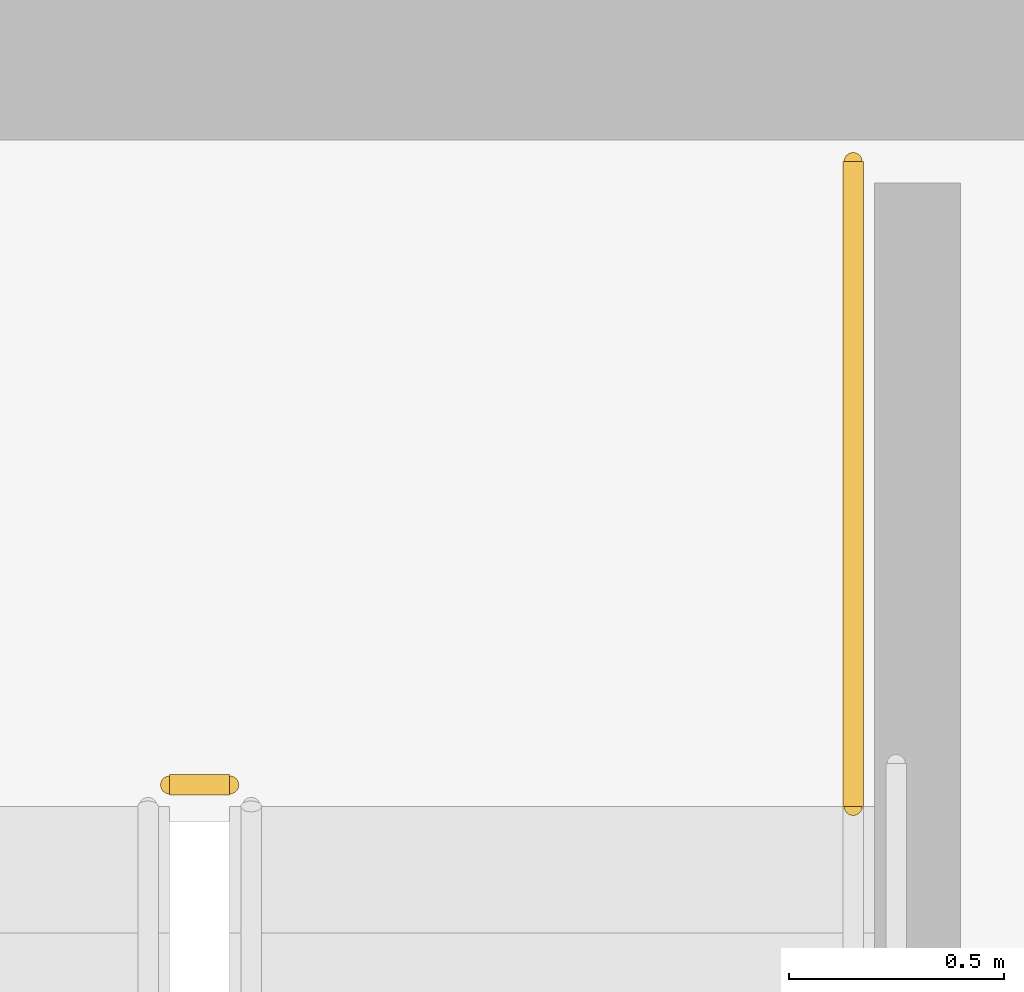
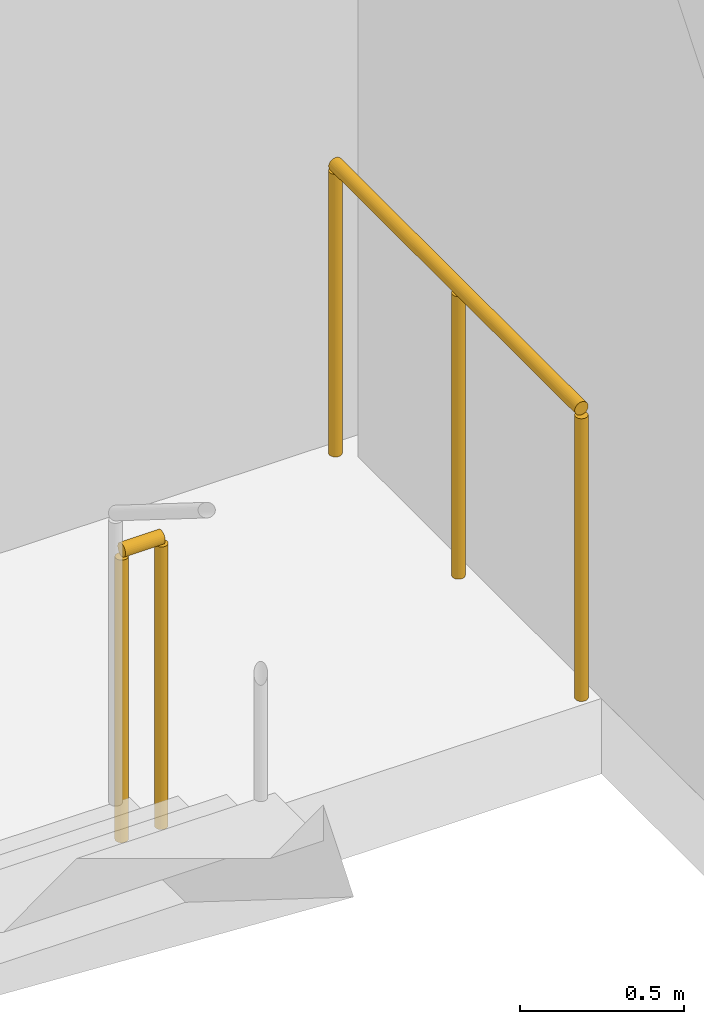
# One storey, part 25 of 25: 2 railings.
"""IFC4 building model written with IfcOpenShell, lengths in metres."""

import ifcopenshell
import ifcopenshell.guid

model = None  # the IFC model being written
_history = None  # IfcOwnerHistory: only IFC2X3 demands one
_inside = {}  # id of a spatial element -> (the spatial element, [elements in it])
_under = {}  # id of a project, library or spatial element -> (it, [spatial elements below it])
_declared = {}  # id of a project -> (the project, [libraries it declares])
_typed = {}  # id of a type object -> (the type object, [elements of that type])
_made_of = {}  # id of a material, layer set ... -> (it, [elements and type objects made of it])


def new_model(schema):
    """Start an empty IFC model of exactly this schema.

    Asked for "IFC4X3", IfcOpenShell would pick the latest addendum, in which some entities
    have other attributes; the version numbers below select the first issue.
    IFC2X3 requires an IfcOwnerHistory on every rooted entity: one is made here for all.
    """
    global model, _history
    if schema == "IFC4X3":
        model = ifcopenshell.file(schema_version=(4, 3, 0, 0))
    else:
        model = ifcopenshell.file(schema=schema)
    _inside.clear()
    _under.clear()
    _declared.clear()
    _typed.clear()
    _made_of.clear()
    _history = None
    if model.schema == "IFC2X3":
        org = make("IfcOrganization", Name="unknown")
        user = make(
            "IfcPersonAndOrganization",
            ThePerson=make("IfcPerson", FamilyName="unknown"),
            TheOrganization=org,
        )
        app = make(
            "IfcApplication",
            ApplicationDeveloper=org,
            Version="unknown",
            ApplicationFullName="unknown",
            ApplicationIdentifier="unknown",
        )
        _history = make(
            "IfcOwnerHistory",
            OwningUser=user,
            OwningApplication=app,
            ChangeAction="ADDED",
            CreationDate=0,
        )
    return model


def make(cls, **values):
    """One entity of the class cls with the attributes given. An attribute that is None is left unset."""
    return model.create_entity(
        cls, **{name: value for name, value in values.items() if value is not None}
    )


def rooted(cls, **values):
    """An entity with a GlobalId (a new one), such as an element, a storey or a relation."""
    return make(cls, GlobalId=ifcopenshell.guid.new(), OwnerHistory=_history, **values)


def si_unit(unit_type, name, prefix=None):
    """IfcSIUnit, for example si_unit("LENGTHUNIT", "METRE", prefix="MILLI")."""
    return make("IfcSIUnit", UnitType=unit_type, Prefix=prefix, Name=name)


def assignment(units):
    """IfcUnitAssignment: the units of a project."""
    return None if units is None else make("IfcUnitAssignment", Units=units)


def point(xyz):
    """IfcCartesianPoint."""
    return None if xyz is None else make("IfcCartesianPoint", Coordinates=xyz)


def direction(xyz):
    """IfcDirection."""
    return None if xyz is None else make("IfcDirection", DirectionRatios=xyz)


def frame(location, z_axis=None, x_axis=None):
    """IfcAxis2Placement3D, a coordinate frame: its origin and axes. An axis left out is left unset."""
    return make(
        "IfcAxis2Placement3D",
        Location=point(location),
        Axis=direction(z_axis),
        RefDirection=direction(x_axis),
    )


def frame_2d(location, x_axis=None):
    """IfcAxis2Placement2D, a coordinate frame in the plane: its origin and x axis."""
    return make(
        "IfcAxis2Placement2D", Location=point(location), RefDirection=direction(x_axis)
    )


def origin():
    """The frame at (0, 0, 0) with its axes left unset."""
    return frame((0.0, 0.0, 0.0))


def origin_2d():
    """The frame at (0, 0) in the plane with its x axis left unset."""
    return frame_2d((0.0, 0.0))


def place(relative_to, where):
    """IfcLocalPlacement: puts the frame where relative to a parent placement (None: the world)."""
    return make(
        "IfcLocalPlacement", PlacementRelTo=relative_to, RelativePlacement=where
    )


def context(
    kind, dimensions, precision=None, world=None, true_north=None, identifier=None
):
    """IfcGeometricRepresentationContext, for example the 3D "Model" context."""
    return make(
        "IfcGeometricRepresentationContext",
        ContextIdentifier=identifier,
        ContextType=kind,
        CoordinateSpaceDimension=dimensions,
        Precision=precision,
        WorldCoordinateSystem=world,
        TrueNorth=true_north,
    )


def subcontext(parent, identifier, kind, view, scale=None):
    """IfcGeometricRepresentationSubContext, for example "Body" below "Model"."""
    return make(
        "IfcGeometricRepresentationSubContext",
        ContextIdentifier=identifier,
        ContextType=kind,
        ParentContext=parent,
        TargetScale=scale,
        TargetView=view,
    )


def project(units=None, contexts=None):
    """IfcProject with its units and contexts."""
    return rooted(
        "IfcProject",
        Name="project",
        RepresentationContexts=contexts,
        UnitsInContext=assignment(units),
    )


def spatial(cls, under=None, at=None, **own):
    """A site, building, storey or space (cls), placed at a placement, below another one or the project."""
    s = rooted(cls, ObjectPlacement=at, **own)
    if under is not None:
        _under.setdefault(under.id(), (under, []))[1].append(s)
    return s


def profile(cls, at=None, kind="AREA", **sizes):
    """A parametric profile (cls). Its sizes go by their IFC names, for example OverallWidth=200.0."""
    return make(cls, ProfileType=kind, Position=at, **sizes)


def circle(**sizes):
    """IfcCircleProfileDef."""
    return profile("IfcCircleProfileDef", **sizes)


def extrude(swept, where, along, depth):
    """IfcExtrudedAreaSolid: the profile swept, set in the frame where, extruded along a direction by depth."""
    return make(
        "IfcExtrudedAreaSolid",
        SweptArea=swept,
        Position=where,
        ExtrudedDirection=direction(along),
        Depth=depth,
    )


def shape(context_of_items, identifier, shape_type, items):
    """IfcShapeRepresentation: the items that make up one representation, for example the "Body"."""
    return make(
        "IfcShapeRepresentation",
        ContextOfItems=context_of_items,
        RepresentationIdentifier=identifier,
        RepresentationType=shape_type,
        Items=items,
    )


def material(Name=None, Category=None):
    """IfcMaterial."""
    return make("IfcMaterial", Name=Name, Category=Category)


def layer(
    of_material, thickness, ventilated=None, Name=None, Category=None, Priority=None
):
    """IfcMaterialLayer: one layer of a wall or slab, of a material (None: an air gap)."""
    return make(
        "IfcMaterialLayer",
        Material=of_material,
        LayerThickness=thickness,
        IsVentilated=ventilated,
        Name=Name,
        Category=Category,
        Priority=Priority,
    )


def layer_set(layers, Name=None):
    """IfcMaterialLayerSet."""
    return make("IfcMaterialLayerSet", MaterialLayers=layers, LayerSetName=Name)


def made_of(thing, what):
    """Note that an element or type object is made of a material, layer set ...; save() writes the relation."""
    if what is not None:
        _made_of.setdefault(what.id(), (what, []))[1].append(thing)
    return thing


def type_object(cls, material=None, **own):
    """A type object (cls), such as IfcWallType, which elements share."""
    return made_of(rooted(cls, **own), material)


def element(
    cls,
    number,
    at=None,
    inside=None,
    cuts=None,
    type_object=None,
    material=None,
    context=None,
    identifier="Body",
    shape_type=None,
    held_by="IfcProductDefinitionShape",
    body=None,
    shapes=None,
    **own,
):
    """One element of the class cls, such as IfcWall. Its Tag is "e" and its number.

    at: its placement. inside: the storey or other place that contains it. cuts: it is an
    opening in that element (IfcRelVoidsElement). A single representation is given by context,
    identifier, shape_type and body (its items); several are given by shapes. held_by: the class
    of the entity that holds the representations. save() writes the other relations.
    """
    e = rooted(cls, Tag="e%d" % number, ObjectPlacement=at, **own)
    if body is not None:
        shapes = [shape(context, identifier, shape_type, body)]
    if shapes is not None:
        e.Representation = make(held_by, Representations=shapes)
    if inside is not None:
        _inside.setdefault(inside.id(), (inside, []))[1].append(e)
    if cuts is not None:
        rooted(
            "IfcRelVoidsElement", RelatingBuildingElement=cuts, RelatedOpeningElement=e
        )
    if type_object is not None:
        _typed.setdefault(type_object.id(), (type_object, []))[1].append(e)
    return made_of(e, material)


def aggregate(whole, parts):
    """IfcRelAggregates: a whole, such as a stair, and the parts it consists of."""
    return rooted("IfcRelAggregates", RelatingObject=whole, RelatedObjects=parts)


def save(model, path):
    """Write the relations noted so far, then the file.

    IfcRelAggregates (storeys below a building ...), IfcRelContainedInSpatialStructure (elements
    in a storey), IfcRelDefinesByType, IfcRelAssociatesMaterial and IfcRelDeclares: one each for
    every whole, place, type object, material and project.
    """
    for whole, parts in _under.values():
        aggregate(whole, parts)
    for where, things in _inside.values():
        rooted(
            "IfcRelContainedInSpatialStructure",
            RelatedElements=things,
            RelatingStructure=where,
        )
    for kind, things in _typed.values():
        rooted("IfcRelDefinesByType", RelatedObjects=things, RelatingType=kind)
    for what, things in _made_of.values():
        rooted("IfcRelAssociatesMaterial", RelatedObjects=things, RelatingMaterial=what)
    for by, libraries in _declared.values():
        rooted("IfcRelDeclares", RelatingContext=by, RelatedDefinitions=libraries)
    model.write(path)


model = new_model("IFC4")

# Units and contexts
model_context = context("Model", 3, precision=1e-05, world=origin(), true_north=direction((0.0, 1.0)))
body_context = subcontext(model_context, "Body", "Model", "MODEL_VIEW")
ifc_project = project(units=[si_unit("LENGTHUNIT", "METRE"), si_unit("AREAUNIT", "SQUARE_METRE"), si_unit("VOLUMEUNIT", "CUBIC_METRE"), si_unit("PLANEANGLEUNIT", "RADIAN"), si_unit("MASSUNIT", "GRAM", prefix="KILO")], contexts=[model_context])

# Site, building, storey
site_placement = place(None, origin())
site = spatial("IfcSite", under=ifc_project, at=site_placement, CompositionType="ELEMENT")
building_placement = place(site_placement, origin())
building = spatial("IfcBuilding", under=site, at=building_placement, Name="Ndaravel Arena Tower", CompositionType="ELEMENT")
storey_placement = place(building_placement, frame((0.0, 0.0, 303.300048828125)))
storey = spatial("IfcBuildingStorey", under=building, at=storey_placement, Name="L74", CompositionType="ELEMENT", Elevation=303.300048828125)

# Railings
ifc_material = material(Name="Steel S355", Category="steel")
ifc_layer = layer(ifc_material, 0.06005859375)
ifc_layer_set = layer_set([ifc_layer], Name="Steel S355")
railing_type = type_object("IfcRailingType", Name="RAIL-STAIR-GD1100", PredefinedType="GUARDRAIL", material=ifc_layer_set)
railing_1_placement = place(storey_placement, frame((55.10009765625, 13.300048828125, 0.0)))
element("IfcRailing", 1, at=railing_1_placement, inside=storey, type_object=railing_type, Name="L74 ST-3 stair guard 4", PredefinedType="GUARDRAIL", context=body_context, shape_type="SweptSolid", body=[
    extrude(circle(Radius=0.02392578125, at=origin_2d()), frame((0.0, 0.0, 1.076171875), z_axis=(1.0, 0.0, 0.0), x_axis=(0.0, 1.0, 0.0)), (0.0, 0.0, 1.0), 0.139892578125),
    extrude(circle(Radius=0.02099609375, at=origin_2d()), origin(), (0.0, 0.0, 1.0), 1.052001953125),
    extrude(circle(Radius=0.02099609375, at=origin_2d()), frame((0.139892578125, 0.0, 0.0)), (0.0, 0.0, 1.0), 1.052001953125),
])
railing_2_placement = place(storey_placement, frame((56.68994140625, 14.75, 0.0)))
element("IfcRailing", 2, at=railing_2_placement, inside=storey, type_object=railing_type, Name="L74 ST-3 stair guard 5", PredefinedType="GUARDRAIL", context=body_context, shape_type="SweptSolid", body=[
    extrude(circle(Radius=0.02392578125, at=origin_2d()), frame((0.0, 0.0, 1.076171875), z_axis=(0.0, -1.0, 0.0), x_axis=(1.0, 0.0, 0.0)), (0.0, 0.0, 1.0), 1.5),
    extrude(circle(Radius=0.02099609375, at=origin_2d()), origin(), (0.0, 0.0, 1.0), 1.052001953125),
    extrude(circle(Radius=0.02099609375, at=origin_2d()), frame((0.0, -0.75, 0.0)), (0.0, 0.0, 1.0), 1.052001953125),
    extrude(circle(Radius=0.02099609375, at=origin_2d()), frame((0.0, -1.5, 0.0)), (0.0, 0.0, 1.0), 1.052001953125),
])

save(model, "model.ifc")
